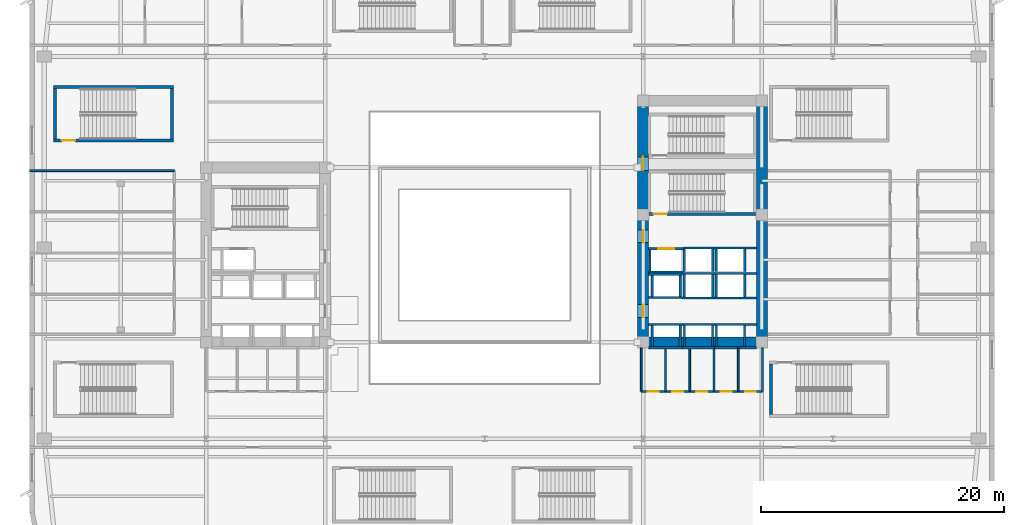
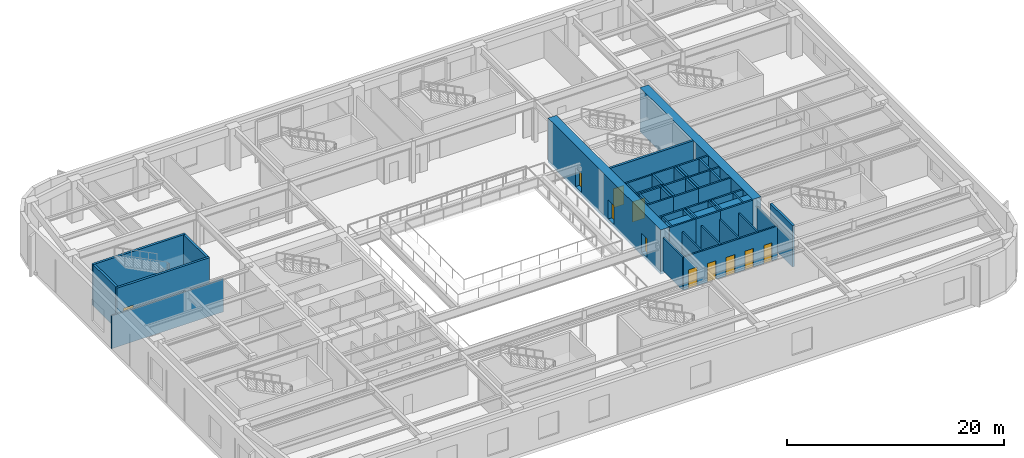
# One storey, part 7 of 21: 50 walls, 11 doors, 11 openings.
"""IFC4 building model written with IfcOpenShell, lengths in metres."""

from ifc_helpers import new_model, si_unit, direction, frame, frame_2d, origin, place, context, subcontext, project, spatial, rectangle, extrude, material, layer, layer_set, type_object, element, fill, save


model = new_model("IFC4")

# Units and contexts
model_context = context("Model", 3, precision=1e-05, world=origin(), true_north=direction((0.0, 1.0)))
body_context = subcontext(model_context, "Body", "Model", "MODEL_VIEW")
ifc_project = project(units=[si_unit("LENGTHUNIT", "METRE"), si_unit("AREAUNIT", "SQUARE_METRE"), si_unit("VOLUMEUNIT", "CUBIC_METRE"), si_unit("PLANEANGLEUNIT", "RADIAN"), si_unit("MASSUNIT", "GRAM", prefix="KILO")], contexts=[model_context])

# Site, building, storey
site_placement = place(None, origin())
site = spatial("IfcSite", under=ifc_project, at=site_placement, CompositionType="ELEMENT")
building_placement = place(site_placement, origin())
building = spatial("IfcBuilding", under=site, at=building_placement, Name="Kolvaren Arena Tower", CompositionType="ELEMENT")
storey_placement = place(building_placement, frame((0.0, 0.0, 18.0)))
storey = spatial("IfcBuildingStorey", under=building, at=storey_placement, Name="L03", CompositionType="ELEMENT", Elevation=18.0)

# Wall
ifc_material_1 = material(Name="Gypsum board acoustic assembly", Category="gypsum")
ifc_layer_1 = layer(ifc_material_1, 0.159912109375)
ifc_layer_set_1 = layer_set([ifc_layer_1], Name="Gypsum board acoustic assembly")
wall_type_1 = type_object("IfcWallType", Name="CORR-160", PredefinedType="PARTITIONING", material=ifc_layer_set_1)
wall_1_placement = place(storey_placement, frame((0.0, 33.60009765625, 0.0), z_axis=(0.0, 0.0, 1.0), x_axis=(1.0, 0.0, 0.0)))
element("IfcWall", 1, at=wall_1_placement, inside=storey, type_object=wall_type_1, Name="Interior Partition Wall (L03)", PredefinedType="PARTITIONING", context=body_context, shape_type="SweptSolid", body=[
    extrude(rectangle(XDim=11.919921875, YDim=0.159912109375, at=frame_2d((5.9599609375, 0.0))), origin(), (0.0, 0.0, 1.0), 3.7099609375),
])

# Wall, openings, doors
ifc_material_2 = material(Name="Concrete 80 MPa", Category="concrete")
ifc_layer_2 = layer(ifc_material_2, 0.89990234375)
ifc_layer_set_2 = layer_set([ifc_layer_2], Name="Concrete 80 MPa")
wall_type_2 = type_object("IfcWallType", Name="CWALL-900", PredefinedType="SHEAR", material=ifc_layer_set_2)
wall_2_placement = place(storey_placement, frame((50.550048828125, 19.0, -0.35009765625), z_axis=(0.0, 0.0, 1.0), x_axis=(0.0, 1.0, 0.0)))
wall_2 = element("IfcWall", 2, at=wall_2_placement, inside=storey, type_object=wall_type_2, Name="Core Shear Wall EC-WEST (L03)", PredefinedType="SHEAR", context=body_context, shape_type="SweptSolid", body=[
    extrude(rectangle(XDim=20.800048828125, YDim=0.89990234375, at=frame_2d((10.39990234375, 0.0))), origin(), (0.0, 0.0, 1.0), 5.0),
])
opening_1_placement = place(wall_2_placement, frame((2.5, 0.0, 0.35009765625)))
opening_1 = element("IfcOpeningElement", 3, at=opening_1_placement, cuts=wall_2, Name="Opening D04", PredefinedType="OPENING", context=body_context, shape_type="SweptSolid", body=[
    extrude(rectangle(XDim=1.050048828125, YDim=2.14990234375, at=frame_2d((0.52490234375, 1.074951171875))), frame((0.0, 0.4599609375, 0.0), z_axis=(0.0, -1.0, 0.0), x_axis=(1.0, 0.0, 0.0)), (0.0, 0.0, 1.0), 0.919921875),
])
opening_2_placement = place(wall_2_placement, frame((8.64990234375, 0.0, 0.35009765625)))
opening_2 = element("IfcOpeningElement", 4, at=opening_2_placement, cuts=wall_2, Name="Opening D04", PredefinedType="OPENING", context=body_context, shape_type="SweptSolid", body=[
    extrude(rectangle(XDim=1.050048828125, YDim=2.14990234375, at=frame_2d((0.52490234375, 1.074951171875))), frame((0.0, 0.4599609375, 0.0), z_axis=(0.0, -1.0, 0.0), x_axis=(1.0, 0.0, 0.0)), (0.0, 0.0, 1.0), 0.919921875),
])
opening_3_placement = place(wall_2_placement, frame((14.6201171875, 0.0, 0.35009765625)))
opening_3 = element("IfcOpeningElement", 5, at=opening_3_placement, cuts=wall_2, Name="Opening D03", PredefinedType="OPENING", context=body_context, shape_type="SweptSolid", body=[
    extrude(rectangle(XDim=1.10009765625, YDim=2.14990234375, at=frame_2d((0.550048828125, 1.074951171875))), frame((0.0, 0.4599609375, 0.0), z_axis=(0.0, -1.0, 0.0), x_axis=(1.0, 0.0, 0.0)), (0.0, 0.0, 1.0), 0.919921875),
])
ifc_material_3 = material(Name="Fire-rated steel lobby door", Category="steel")
door_type_1 = type_object("IfcDoorType", Name="DOOR-FF-105", OperationType="NOTDEFINED", PredefinedType="DOOR", material=ifc_material_3)
door_1_placement = place(opening_1_placement, origin())
door_1 = element("IfcDoor", 6, at=door_1_placement, inside=storey, type_object=door_type_1, Name="East Lift Lobby Fire Door (L03)", OperationType="SINGLE_SWING_RIGHT", OverallHeight=2.14990234375, OverallWidth=1.050048828125, PredefinedType="DOOR", context=body_context, shape_type="SweptSolid", body=[
    extrude(rectangle(XDim=1.050048828125, YDim=2.14990234375, at=frame_2d((0.52490234375, 1.074951171875))), frame((0.0, 0.02490234375, 0.0), z_axis=(0.0, -1.0, 0.0), x_axis=(1.0, 0.0, 0.0)), (0.0, 0.0, 1.0), 0.050048828125),
])
fill(opening_1, door_1)
door_2_placement = place(opening_2_placement, origin())
door_2 = element("IfcDoor", 7, at=door_2_placement, inside=storey, type_object=door_type_1, Name="East Firefighter Vestibule Door (L03)", OperationType="SINGLE_SWING_LEFT", OverallHeight=2.14990234375, OverallWidth=1.050048828125, PredefinedType="DOOR", context=body_context, shape_type="SweptSolid", body=[
    extrude(rectangle(XDim=1.050048828125, YDim=2.14990234375, at=frame_2d((0.52490234375, 1.074951171875))), frame((0.0, 0.02490234375, 0.0), z_axis=(0.0, -1.0, 0.0), x_axis=(1.0, 0.0, 0.0)), (0.0, 0.0, 1.0), 0.050048828125),
])
fill(opening_2, door_2)
ifc_material_4 = material(Name="Fire-rated steel exit stair door", Category="steel")
door_type_2 = type_object("IfcDoorType", Name="DOOR-ST-110", OperationType="NOTDEFINED", PredefinedType="DOOR", material=ifc_material_4)
door_3_placement = place(opening_3_placement, origin())
door_3 = element("IfcDoor", 8, at=door_3_placement, inside=storey, type_object=door_type_2, Name="Stair ST-E2 Vestibule Fire Door (L03)", OperationType="SINGLE_SWING_LEFT", OverallHeight=2.14990234375, OverallWidth=1.10009765625, PredefinedType="DOOR", context=body_context, shape_type="SweptSolid", body=[
    extrude(rectangle(XDim=1.10009765625, YDim=2.14990234375, at=frame_2d((0.550048828125, 1.074951171875))), frame((0.0, 0.02490234375, 0.0), z_axis=(0.0, -1.0, 0.0), x_axis=(1.0, 0.0, 0.0)), (0.0, 0.0, 1.0), 0.050048828125),
])
fill(opening_3, door_3)

# Walls
wall_3_placement = place(storey_placement, frame((60.35009765625, 19.0, -0.35009765625), z_axis=(0.0, 0.0, 1.0), x_axis=(0.0, 1.0, 0.0)))
element("IfcWall", 9, at=wall_3_placement, inside=storey, type_object=wall_type_2, Name="Core Shear Wall EC-EAST (L03)", PredefinedType="SHEAR", context=body_context, shape_type="SweptSolid", body=[
    extrude(rectangle(XDim=20.800048828125, YDim=0.89990234375, at=frame_2d((10.39990234375, 0.0))), origin(), (0.0, 0.0, 1.0), 5.0),
])
wall_4_placement = place(storey_placement, frame((51.0, 19.449951171875, -0.35009765625), z_axis=(0.0, 0.0, 1.0), x_axis=(1.0, 0.0, 0.0)))
element("IfcWall", 10, at=wall_4_placement, inside=storey, type_object=wall_type_2, Name="Core Shear Wall EC-SOUTH (L03)", PredefinedType="SHEAR", context=body_context, shape_type="SweptSolid", body=[
    extrude(rectangle(XDim=8.89990234375, YDim=0.89990234375, at=frame_2d((4.449951171875, 0.0))), origin(), (0.0, 0.0, 1.0), 5.0),
])
ifc_material_5 = material(Name="Concrete 45 MPa", Category="concrete")
ifc_layer_3 = layer(ifc_material_5, 0.25)
ifc_layer_set_3 = layer_set([ifc_layer_3], Name="Concrete 45 MPa")
wall_type_3 = type_object("IfcWallType", Name="SHAFT-250", PredefinedType="SOLIDWALL", material=ifc_layer_set_3)
wall_5_placement = place(storey_placement, frame((61.080078125, 13.5, 0.0), z_axis=(0.0, 0.0, 1.0), x_axis=(0.0, 1.0, 0.0)))
element("IfcWall", 11, at=wall_5_placement, inside=storey, type_object=wall_type_3, Name="Stair ST-A4 West Shaft Wall (L03)", PredefinedType="SOLIDWALL", context=body_context, shape_type="SweptSolid", body=[
    extrude(rectangle(XDim=4.14990234375, YDim=0.239990234375, at=frame_2d((2.074951171875, 0.0))), origin(), (0.0, 0.0, 1.0), 4.64990234375),
])

# Wall, opening, door
wall_6_placement = place(storey_placement, frame((11.840087890625, 36.080078125, 0.0), z_axis=(0.0, 0.0, 1.0), x_axis=(-1.0, 0.0, 0.0)))
wall_6 = element("IfcWall", 12, at=wall_6_placement, inside=storey, type_object=wall_type_3, Name="Stair ST-A5 Rated Enclosure Wall (L03)", PredefinedType="SOLIDWALL", context=body_context, shape_type="SweptSolid", body=[
    extrude(rectangle(XDim=9.880126953125, YDim=0.239990234375, at=frame_2d((4.93994140625, 0.0))), origin(), (0.0, 0.0, 1.0), 4.64990234375),
])
opening_4_placement = place(wall_6_placement, frame((8.090087890625, 0.0, 0.0)))
opening_4 = element("IfcOpeningElement", 13, at=opening_4_placement, cuts=wall_6, Name="Opening D03", PredefinedType="OPENING", context=body_context, shape_type="SweptSolid", body=[
    extrude(rectangle(XDim=1.10009765625, YDim=2.14990234375, at=frame_2d((0.550048828125, 1.074951171875))), frame((0.0, 0.1298828125, 0.0), z_axis=(0.0, -1.0, 0.0), x_axis=(1.0, 0.0, 0.0)), (0.0, 0.0, 1.0), 0.260009765625),
])
door_4_placement = place(opening_4_placement, origin())
door_4 = element("IfcDoor", 14, at=door_4_placement, inside=storey, type_object=door_type_2, Name="Exit Stair ST-A5 Fire Door (L03)", OperationType="SINGLE_SWING_RIGHT", OverallHeight=2.14990234375, OverallWidth=1.10009765625, PredefinedType="DOOR", context=body_context, shape_type="SweptSolid", body=[
    extrude(rectangle(XDim=1.10009765625, YDim=2.14990234375, at=frame_2d((0.550048828125, 1.074951171875))), frame((0.0, 0.02490234375, 0.0), z_axis=(0.0, -1.0, 0.0), x_axis=(1.0, 0.0, 0.0)), (0.0, 0.0, 1.0), 0.050048828125),
])
fill(opening_4, door_4)

# Walls
wall_7_placement = place(storey_placement, frame((1.9599609375, 40.469970703125, 0.0), z_axis=(0.0, 0.0, 1.0), x_axis=(1.0, 0.0, 0.0)))
element("IfcWall", 15, at=wall_7_placement, inside=storey, type_object=wall_type_3, Name="Stair ST-A5 Rear Shaft Wall (L03)", PredefinedType="SOLIDWALL", context=body_context, shape_type="SweptSolid", body=[
    extrude(rectangle(XDim=9.880126953125, YDim=0.239990234375, at=frame_2d((4.93994140625, 0.0))), origin(), (0.0, 0.0, 1.0), 4.64990234375),
])
for number, where, z_axis, x_axis, name in (
    (16, (2.080078125, 36.199951171875, 0.0), (0.0, 0.0, 1.0), (0.0, 1.0, 0.0), "Stair ST-A5 West Shaft Wall (L03)"),
    (17, (11.719970703125, 36.199951171875, 0.0), (0.0, 0.0, 1.0), (0.0, 1.0, 0.0), "Stair ST-A5 East Shaft Wall (L03)"),
):
    element("IfcWall", number, at=place(storey_placement, frame(where, z_axis=z_axis, x_axis=x_axis)), inside=storey, type_object=wall_type_3, Name=name, PredefinedType="SOLIDWALL", context=body_context, shape_type="SweptSolid", body=[
        extrude(rectangle(XDim=4.150146484375, YDim=0.239990234375, at=frame_2d((2.0751953125, 0.0))), origin(), (0.0, 0.0, 1.0), 4.64990234375),
    ])

# Wall, opening, door
wall_8_placement = place(storey_placement, frame((59.89990234375, 30.030029296875, 0.0), z_axis=(0.0, 0.0, 1.0), x_axis=(-1.0, 0.0, 0.0)))
wall_8 = element("IfcWall", 18, at=wall_8_placement, inside=storey, type_object=wall_type_3, Name="Core Shaft Wall (L03)", PredefinedType="SOLIDWALL", context=body_context, shape_type="SweptSolid", body=[
    extrude(rectangle(XDim=8.89990234375, YDim=0.239990234375, at=frame_2d((4.449951171875, 0.0))), origin(), (0.0, 0.0, 1.0), 4.64990234375),
])
opening_5_placement = place(wall_8_placement, frame((7.3798828125, 0.0, 0.0)))
opening_5 = element("IfcOpeningElement", 19, at=opening_5_placement, cuts=wall_8, Name="Opening D03", PredefinedType="OPENING", context=body_context, shape_type="SweptSolid", body=[
    extrude(rectangle(XDim=1.10009765625, YDim=2.14990234375, at=frame_2d((0.550048828125, 1.074951171875))), frame((0.0, 0.1298828125, 0.0), z_axis=(0.0, -1.0, 0.0), x_axis=(1.0, 0.0, 0.0)), (0.0, 0.0, 1.0), 0.260009765625),
])
door_5_placement = place(opening_5_placement, origin())
door_5 = element("IfcDoor", 20, at=door_5_placement, inside=storey, type_object=door_type_2, Name="Stair ST-E1 Fire Door (L03)", OperationType="SINGLE_SWING_LEFT", OverallHeight=2.14990234375, OverallWidth=1.10009765625, PredefinedType="DOOR", context=body_context, shape_type="SweptSolid", body=[
    extrude(rectangle(XDim=1.10009765625, YDim=2.14990234375, at=frame_2d((0.550048828125, 1.074951171875))), frame((0.0, 0.02490234375, 0.0), z_axis=(0.0, -1.0, 0.0), x_axis=(1.0, 0.0, 0.0)), (0.0, 0.0, 1.0), 0.050048828125),
])
fill(opening_5, door_5)

# Walls
for number, where, z_axis, x_axis, name in (
    (21, (51.0, 20.905029296875, 0.0), (0.0, 0.0, 1.0), (1.0, 0.0, 0.0), "Core Shaft Wall (L03)"),
    (22, (51.0, 18.9951171875, 0.0), (0.0, 0.0, 1.0), (1.0, 0.0, 0.0), "Core Shaft Wall (L03)"),
):
    element("IfcWall", number, at=place(storey_placement, frame(where, z_axis=z_axis, x_axis=x_axis)), inside=storey, type_object=wall_type_3, Name=name, PredefinedType="SOLIDWALL", context=body_context, shape_type="SweptSolid", body=[
        extrude(rectangle(XDim=2.7900390625, YDim=0.179931640625, at=frame_2d((1.39501953125, 0.0))), origin(), (0.0, 0.0, 1.0), 4.64990234375),
    ])
for number, where, z_axis, x_axis, name in (
    (23, (51.304931640625, 19.0849609375, 0.0), (0.0, 0.0, 1.0), (0.0, 1.0, 0.0), "Core Shaft Wall (L03)"),
    (24, (53.614990234375, 19.0849609375, 0.0), (0.0, 0.0, 1.0), (0.0, 1.0, 0.0), "Core Shaft Wall (L03)"),
):
    element("IfcWall", number, at=place(storey_placement, frame(where, z_axis=z_axis, x_axis=x_axis)), inside=storey, type_object=wall_type_3, Name=name, PredefinedType="SOLIDWALL", context=body_context, shape_type="SweptSolid", body=[
        extrude(rectangle(XDim=1.72998046875, YDim=0.179931640625, at=frame_2d((0.864990234375, 0.0))), origin(), (0.0, 0.0, 1.0), 4.64990234375),
    ])
for number, where, z_axis, x_axis, name in (
    (25, (53.7900390625, 20.905029296875, 0.0), (0.0, 0.0, 1.0), (1.0, 0.0, 0.0), "Core Shaft Wall (L03)"),
    (26, (53.7900390625, 18.9951171875, 0.0), (0.0, 0.0, 1.0), (1.0, 0.0, 0.0), "Core Shaft Wall (L03)"),
):
    element("IfcWall", number, at=place(storey_placement, frame(where, z_axis=z_axis, x_axis=x_axis)), inside=storey, type_object=wall_type_3, Name=name, PredefinedType="SOLIDWALL", context=body_context, shape_type="SweptSolid", body=[
        extrude(rectangle(XDim=2.64990234375, YDim=0.179931640625, at=frame_2d((1.324951171875, 0.0))), origin(), (0.0, 0.0, 1.0), 4.64990234375),
    ])
for number, where, z_axis, x_axis, name in (
    (27, (53.965087890625, 19.0849609375, 0.0), (0.0, 0.0, 1.0), (0.0, 1.0, 0.0), "Core Shaft Wall (L03)"),
    (28, (56.27490234375, 19.0849609375, 0.0), (0.0, 0.0, 1.0), (0.0, 1.0, 0.0), "Core Shaft Wall (L03)"),
):
    element("IfcWall", number, at=place(storey_placement, frame(where, z_axis=z_axis, x_axis=x_axis)), inside=storey, type_object=wall_type_3, Name=name, PredefinedType="SOLIDWALL", context=body_context, shape_type="SweptSolid", body=[
        extrude(rectangle(XDim=1.72998046875, YDim=0.179931640625, at=frame_2d((0.864990234375, 0.0))), origin(), (0.0, 0.0, 1.0), 4.64990234375),
    ])
for number, where, z_axis, x_axis, name in (
    (29, (56.43994140625, 20.905029296875, 0.0), (0.0, 0.0, 1.0), (1.0, 0.0, 0.0), "Core Shaft Wall (L03)"),
    (30, (56.43994140625, 18.9951171875, 0.0), (0.0, 0.0, 1.0), (1.0, 0.0, 0.0), "Core Shaft Wall (L03)"),
):
    element("IfcWall", number, at=place(storey_placement, frame(where, z_axis=z_axis, x_axis=x_axis)), inside=storey, type_object=wall_type_3, Name=name, PredefinedType="SOLIDWALL", context=body_context, shape_type="SweptSolid", body=[
        extrude(rectangle(XDim=3.4599609375, YDim=0.179931640625, at=frame_2d((1.72998046875, 0.0))), origin(), (0.0, 0.0, 1.0), 4.64990234375),
    ])
for number, where, z_axis, x_axis, name in (
    (31, (56.60498046875, 19.0849609375, 0.0), (0.0, 0.0, 1.0), (0.0, 1.0, 0.0), "Core Shaft Wall (L03)"),
    (32, (58.9150390625, 19.0849609375, 0.0), (0.0, 0.0, 1.0), (0.0, 1.0, 0.0), "Core Shaft Wall (L03)"),
):
    element("IfcWall", number, at=place(storey_placement, frame(where, z_axis=z_axis, x_axis=x_axis)), inside=storey, type_object=wall_type_3, Name=name, PredefinedType="SOLIDWALL", context=body_context, shape_type="SweptSolid", body=[
        extrude(rectangle(XDim=1.72998046875, YDim=0.179931640625, at=frame_2d((0.864990234375, 0.0))), origin(), (0.0, 0.0, 1.0), 4.64990234375),
    ])
for number, where, z_axis, x_axis, name in (
    (33, (51.0, 25.054931640625, 0.0), (0.0, 0.0, 1.0), (1.0, 0.0, 0.0), "Core Shaft Wall (L03)"),
    (34, (51.0, 23.14501953125, 0.0), (0.0, 0.0, 1.0), (1.0, 0.0, 0.0), "Core Shaft Wall (L03)"),
):
    element("IfcWall", number, at=place(storey_placement, frame(where, z_axis=z_axis, x_axis=x_axis)), inside=storey, type_object=wall_type_3, Name=name, PredefinedType="SOLIDWALL", context=body_context, shape_type="SweptSolid", body=[
        extrude(rectangle(XDim=2.777587890625, YDim=0.179931640625, at=frame_2d((1.388671875, 0.0))), origin(), (0.0, 0.0, 1.0), 4.64990234375),
    ])
for number, where, z_axis, x_axis, name in (
    (35, (51.304931640625, 23.235107421875, 0.0), (0.0, 0.0, 1.0), (0.0, 1.0, 0.0), "Core Shaft Wall (L03)"),
    (36, (53.614990234375, 23.235107421875, 0.0), (0.0, 0.0, 1.0), (0.0, 1.0, 0.0), "Core Shaft Wall (L03)"),
):
    element("IfcWall", number, at=place(storey_placement, frame(where, z_axis=z_axis, x_axis=x_axis)), inside=storey, type_object=wall_type_3, Name=name, PredefinedType="SOLIDWALL", context=body_context, shape_type="SweptSolid", body=[
        extrude(rectangle(XDim=1.72998046875, YDim=0.179931640625, at=frame_2d((0.864990234375, 0.0))), origin(), (0.0, 0.0, 1.0), 4.64990234375),
    ])
for number, where, z_axis, x_axis, name in (
    (37, (53.777587890625, 25.10498046875, 0.0), (0.0, 0.0, 1.0), (1.0, 0.0, 0.0), "Core Shaft Wall (L03)"),
    (38, (53.777587890625, 23.094970703125, 0.0), (0.0, 0.0, 1.0), (1.0, 0.0, 0.0), "Core Shaft Wall (L03)"),
):
    element("IfcWall", number, at=place(storey_placement, frame(where, z_axis=z_axis, x_axis=x_axis)), inside=storey, type_object=wall_type_3, Name=name, PredefinedType="SOLIDWALL", context=body_context, shape_type="SweptSolid", body=[
        extrude(rectangle(XDim=2.662353515625, YDim=0.179931640625, at=frame_2d((1.3310546875, 0.0))), origin(), (0.0, 0.0, 1.0), 4.64990234375),
    ])
for number, where, z_axis, x_axis, name in (
    (39, (53.93994140625, 23.18505859375, 0.0), (0.0, 0.0, 1.0), (0.0, 1.0, 0.0), "Core Shaft Wall (L03)"),
    (40, (56.300048828125, 23.18505859375, 0.0), (0.0, 0.0, 1.0), (0.0, 1.0, 0.0), "Core Shaft Wall (L03)"),
):
    element("IfcWall", number, at=place(storey_placement, frame(where, z_axis=z_axis, x_axis=x_axis)), inside=storey, type_object=wall_type_3, Name=name, PredefinedType="SOLIDWALL", context=body_context, shape_type="SweptSolid", body=[
        extrude(rectangle(XDim=1.829833984375, YDim=0.179931640625, at=frame_2d((0.9150390625, 0.0))), origin(), (0.0, 0.0, 1.0), 4.64990234375),
    ])
for number, where, z_axis, x_axis, name in (
    (41, (56.43994140625, 25.10498046875, 0.0), (0.0, 0.0, 1.0), (1.0, 0.0, 0.0), "Core Shaft Wall (L03)"),
    (42, (56.43994140625, 23.094970703125, 0.0), (0.0, 0.0, 1.0), (1.0, 0.0, 0.0), "Core Shaft Wall (L03)"),
):
    element("IfcWall", number, at=place(storey_placement, frame(where, z_axis=z_axis, x_axis=x_axis)), inside=storey, type_object=wall_type_3, Name=name, PredefinedType="SOLIDWALL", context=body_context, shape_type="SweptSolid", body=[
        extrude(rectangle(XDim=3.4599609375, YDim=0.179931640625, at=frame_2d((1.72998046875, 0.0))), origin(), (0.0, 0.0, 1.0), 4.64990234375),
    ])
for number, where, z_axis, x_axis, name in (
    (43, (56.580078125, 23.18505859375, 0.0), (0.0, 0.0, 1.0), (0.0, 1.0, 0.0), "Core Shaft Wall (L03)"),
    (44, (58.93994140625, 23.18505859375, 0.0), (0.0, 0.0, 1.0), (0.0, 1.0, 0.0), "Core Shaft Wall (L03)"),
):
    element("IfcWall", number, at=place(storey_placement, frame(where, z_axis=z_axis, x_axis=x_axis)), inside=storey, type_object=wall_type_3, Name=name, PredefinedType="SOLIDWALL", context=body_context, shape_type="SweptSolid", body=[
        extrude(rectangle(XDim=1.829833984375, YDim=0.179931640625, at=frame_2d((0.9150390625, 0.0))), origin(), (0.0, 0.0, 1.0), 4.64990234375),
    ])
wall_9_placement = place(storey_placement, frame((53.864990234375, 27.205078125, 0.0), z_axis=(0.0, 0.0, 1.0), x_axis=(1.0, 0.0, 0.0)))
element("IfcWall", 45, at=wall_9_placement, inside=storey, type_object=wall_type_3, Name="Core Shaft Wall (L03)", PredefinedType="SOLIDWALL", context=body_context, shape_type="SweptSolid", body=[
    extrude(rectangle(XDim=2.574951171875, YDim=0.179931640625, at=frame_2d((1.28759765625, 0.0))), origin(), (0.0, 0.0, 1.0), 4.64990234375),
])
for number, where, z_axis, x_axis, name in (
    (46, (53.93994140625, 25.284912109375, 0.0), (0.0, 0.0, 1.0), (0.0, 1.0, 0.0), "Core Shaft Wall (L03)"),
    (47, (56.300048828125, 25.284912109375, 0.0), (0.0, 0.0, 1.0), (0.0, 1.0, 0.0), "Core Shaft Wall (L03)"),
):
    element("IfcWall", number, at=place(storey_placement, frame(where, z_axis=z_axis, x_axis=x_axis)), inside=storey, type_object=wall_type_3, Name=name, PredefinedType="SOLIDWALL", context=body_context, shape_type="SweptSolid", body=[
        extrude(rectangle(XDim=1.830078125, YDim=0.179931640625, at=frame_2d((0.9150390625, 0.0))), origin(), (0.0, 0.0, 1.0), 4.64990234375),
    ])
wall_10_placement = place(storey_placement, frame((56.43994140625, 27.205078125, 0.0), z_axis=(0.0, 0.0, 1.0), x_axis=(1.0, 0.0, 0.0)))
element("IfcWall", 48, at=wall_10_placement, inside=storey, type_object=wall_type_3, Name="Core Shaft Wall (L03)", PredefinedType="SOLIDWALL", context=body_context, shape_type="SweptSolid", body=[
    extrude(rectangle(XDim=3.4599609375, YDim=0.179931640625, at=frame_2d((1.72998046875, 0.0))), origin(), (0.0, 0.0, 1.0), 4.64990234375),
])
for number, where, z_axis, x_axis, name in (
    (49, (56.580078125, 25.284912109375, 0.0), (0.0, 0.0, 1.0), (0.0, 1.0, 0.0), "Core Shaft Wall (L03)"),
    (50, (58.93994140625, 25.284912109375, 0.0), (0.0, 0.0, 1.0), (0.0, 1.0, 0.0), "Core Shaft Wall (L03)"),
):
    element("IfcWall", number, at=place(storey_placement, frame(where, z_axis=z_axis, x_axis=x_axis)), inside=storey, type_object=wall_type_3, Name=name, PredefinedType="SOLIDWALL", context=body_context, shape_type="SweptSolid", body=[
        extrude(rectangle(XDim=1.830078125, YDim=0.179931640625, at=frame_2d((0.9150390625, 0.0))), origin(), (0.0, 0.0, 1.0), 4.64990234375),
    ])

# Wall, opening, door
wall_11_placement = place(storey_placement, frame((51.0, 27.155029296875, 0.0), z_axis=(0.0, 0.0, 1.0), x_axis=(1.0, 0.0, 0.0)))
wall_11 = element("IfcWall", 51, at=wall_11_placement, inside=storey, type_object=wall_type_3, Name="Core Shaft Wall (L03)", PredefinedType="SOLIDWALL", context=body_context, shape_type="SweptSolid", body=[
    extrude(rectangle(XDim=2.864990234375, YDim=0.179931640625, at=frame_2d((1.4326171875, 0.0))), origin(), (0.0, 0.0, 1.0), 4.64990234375),
])
opening_6_placement = place(wall_11_placement, frame((0.784912109375, 0.0, 0.0)))
opening_6 = element("IfcOpeningElement", 52, at=opening_6_placement, cuts=wall_11, Name="Opening LD2", PredefinedType="OPENING", context=body_context, shape_type="SweptSolid", body=[
    extrude(rectangle(XDim=1.35009765625, YDim=2.300048828125, at=frame_2d((0.675048828125, 1.14990234375))), frame((0.0, 0.099853515625, 0.0), z_axis=(0.0, -1.0, 0.0), x_axis=(1.0, 0.0, 0.0)), (0.0, 0.0, 1.0), 0.199951171875),
])
ifc_material_6 = material(Name="Stainless steel firefighter lift landing door", Category="steel")
door_type_3 = type_object("IfcDoorType", Name="DOOR-LD-135", OperationType="DOUBLE_DOOR_SLIDING", PredefinedType="DOOR", material=ifc_material_6)
door_6_placement = place(opening_6_placement, origin())
door_6 = element("IfcDoor", 53, at=door_6_placement, inside=storey, type_object=door_type_3, Name="Firefighter Lift FF-E1 Landing Door (L03)", OperationType="DOUBLE_DOOR_SLIDING", OverallHeight=2.300048828125, OverallWidth=1.35009765625, PredefinedType="DOOR", context=body_context, shape_type="SweptSolid", body=[
    extrude(rectangle(XDim=1.35009765625, YDim=2.300048828125, at=frame_2d((0.675048828125, 1.14990234375))), frame((0.0, 0.02490234375, 0.0), z_axis=(0.0, -1.0, 0.0), x_axis=(1.0, 0.0, 0.0)), (0.0, 0.0, 1.0), 0.050048828125),
])
fill(opening_6, door_6)

# Walls
wall_12_placement = place(storey_placement, frame((51.0, 25.2451171875, 0.0), z_axis=(0.0, 0.0, 1.0), x_axis=(1.0, 0.0, 0.0)))
element("IfcWall", 54, at=wall_12_placement, inside=storey, type_object=wall_type_3, Name="Core Shaft Wall (L03)", PredefinedType="SOLIDWALL", context=body_context, shape_type="SweptSolid", body=[
    extrude(rectangle(XDim=2.864990234375, YDim=0.179931640625, at=frame_2d((1.4326171875, 0.0))), origin(), (0.0, 0.0, 1.0), 4.64990234375),
])
wall_13_placement = place(storey_placement, frame((51.1298828125, 25.3349609375, 0.0), z_axis=(0.0, 0.0, 1.0), x_axis=(0.0, 1.0, 0.0)))
element("IfcWall", 55, at=wall_13_placement, inside=storey, type_object=wall_type_3, Name="Core Shaft Wall (L03)", PredefinedType="SOLIDWALL", context=body_context, shape_type="SweptSolid", body=[
    extrude(rectangle(XDim=1.72998046875, YDim=0.179931640625, at=frame_2d((0.864990234375, 0.0))), origin(), (0.0, 0.0, 1.0), 4.64990234375),
])

# Wall, openings, doors
wall_14_placement = place(storey_placement, frame((50.39990234375, 15.39990234375, 0.0), z_axis=(0.0, 0.0, 1.0), x_axis=(1.0, 0.0, 0.0)))
wall_14 = element("IfcWall", 56, at=wall_14_placement, inside=storey, type_object=wall_type_3, Name="Interior Partition Wall (L03)", PredefinedType="SOLIDWALL", context=body_context, shape_type="SweptSolid", body=[
    extrude(rectangle(XDim=10.0, YDim=0.179931640625, at=frame_2d((5.0, 0.0))), origin(), (0.0, 0.0, 1.0), 3.7099609375),
])
opening_7_placement = place(wall_14_placement, frame((0.5400390625, 0.0, 0.0)))
opening_7 = element("IfcOpeningElement", 57, at=opening_7_placement, cuts=wall_14, Name="Opening D07", PredefinedType="OPENING", context=body_context, shape_type="SweptSolid", body=[
    extrude(rectangle(XDim=0.919921875, YDim=2.10009765625, at=frame_2d((0.4599609375, 1.050048828125))), frame((0.0, 0.099853515625, 0.0), z_axis=(0.0, -1.0, 0.0), x_axis=(1.0, 0.0, 0.0)), (0.0, 0.0, 1.0), 0.199951171875),
])
opening_8_placement = place(wall_14_placement, frame((2.5400390625, 0.0, 0.0)))
opening_8 = element("IfcOpeningElement", 58, at=opening_8_placement, cuts=wall_14, Name="Opening D07", PredefinedType="OPENING", context=body_context, shape_type="SweptSolid", body=[
    extrude(rectangle(XDim=0.919921875, YDim=2.10009765625, at=frame_2d((0.4599609375, 1.050048828125))), frame((0.0, 0.099853515625, 0.0), z_axis=(0.0, -1.0, 0.0), x_axis=(1.0, 0.0, 0.0)), (0.0, 0.0, 1.0), 0.199951171875),
])
opening_9_placement = place(wall_14_placement, frame((4.5400390625, 0.0, 0.0)))
opening_9 = element("IfcOpeningElement", 59, at=opening_9_placement, cuts=wall_14, Name="Opening D07", PredefinedType="OPENING", context=body_context, shape_type="SweptSolid", body=[
    extrude(rectangle(XDim=0.919921875, YDim=2.10009765625, at=frame_2d((0.4599609375, 1.050048828125))), frame((0.0, 0.099853515625, 0.0), z_axis=(0.0, -1.0, 0.0), x_axis=(1.0, 0.0, 0.0)), (0.0, 0.0, 1.0), 0.199951171875),
])
opening_10_placement = place(wall_14_placement, frame((6.5400390625, 0.0, 0.0)))
opening_10 = element("IfcOpeningElement", 60, at=opening_10_placement, cuts=wall_14, Name="Opening D07", PredefinedType="OPENING", context=body_context, shape_type="SweptSolid", body=[
    extrude(rectangle(XDim=0.919921875, YDim=2.10009765625, at=frame_2d((0.4599609375, 1.050048828125))), frame((0.0, 0.099853515625, 0.0), z_axis=(0.0, -1.0, 0.0), x_axis=(1.0, 0.0, 0.0)), (0.0, 0.0, 1.0), 0.199951171875),
])
opening_11_placement = place(wall_14_placement, frame((8.570068359375, 0.0, 0.0)))
opening_11 = element("IfcOpeningElement", 61, at=opening_11_placement, cuts=wall_14, Name="Opening D09", PredefinedType="OPENING", context=body_context, shape_type="SweptSolid", body=[
    extrude(rectangle(XDim=0.860107421875, YDim=2.050048828125, at=frame_2d((0.43017578125, 1.02490234375))), frame((0.0, 0.099853515625, 0.0), z_axis=(0.0, -1.0, 0.0), x_axis=(1.0, 0.0, 0.0)), (0.0, 0.0, 1.0), 0.199951171875),
])
ifc_material_7 = material(Name="Fire-rated steel riser access door", Category="steel")
door_type_4 = type_object("IfcDoorType", Name="DOOR-RS-086", OperationType="NOTDEFINED", PredefinedType="DOOR", material=ifc_material_7)
door_7_placement = place(opening_11_placement, origin())
door_7 = element("IfcDoor", 62, at=door_7_placement, inside=storey, type_object=door_type_4, Name="Telecom Riser Closet Door (L03)", OperationType="SINGLE_SWING_LEFT", OverallHeight=2.050048828125, OverallWidth=0.860107421875, PredefinedType="DOOR", context=body_context, shape_type="SweptSolid", body=[
    extrude(rectangle(XDim=0.860107421875, YDim=2.050048828125, at=frame_2d((0.43017578125, 1.02490234375))), frame((0.0, 0.02490234375, 0.0), z_axis=(0.0, -1.0, 0.0), x_axis=(1.0, 0.0, 0.0)), (0.0, 0.0, 1.0), 0.050048828125),
])
fill(opening_11, door_7)
ifc_material_8 = material(Name="Laminate universal washroom door", Category="wood")
door_type_5 = type_object("IfcDoorType", Name="DOOR-WC-092", OperationType="NOTDEFINED", PredefinedType="DOOR", material=ifc_material_8)
door_8_placement = place(opening_7_placement, origin())
door_8 = element("IfcDoor", 63, at=door_8_placement, inside=storey, type_object=door_type_5, Name="First Aid Store Door (L03)", OperationType="SINGLE_SWING_LEFT", OverallHeight=2.10009765625, OverallWidth=0.919921875, PredefinedType="DOOR", context=body_context, shape_type="SweptSolid", body=[
    extrude(rectangle(XDim=0.919921875, YDim=2.10009765625, at=frame_2d((0.4599609375, 1.050048828125))), frame((0.0, 0.02490234375, 0.0), z_axis=(0.0, -1.0, 0.0), x_axis=(1.0, 0.0, 0.0)), (0.0, 0.0, 1.0), 0.050048828125),
])
fill(opening_7, door_8)
door_9_placement = place(opening_8_placement, origin())
door_9 = element("IfcDoor", 64, at=door_9_placement, inside=storey, type_object=door_type_5, Name="Cleaner and Janitor Store Door (L03)", OperationType="SINGLE_SWING_RIGHT", OverallHeight=2.10009765625, OverallWidth=0.919921875, PredefinedType="DOOR", context=body_context, shape_type="SweptSolid", body=[
    extrude(rectangle(XDim=0.919921875, YDim=2.10009765625, at=frame_2d((0.4599609375, 1.050048828125))), frame((0.0, 0.02490234375, 0.0), z_axis=(0.0, -1.0, 0.0), x_axis=(1.0, 0.0, 0.0)), (0.0, 0.0, 1.0), 0.050048828125),
])
fill(opening_8, door_9)
door_10_placement = place(opening_9_placement, origin())
door_10 = element("IfcDoor", 65, at=door_10_placement, inside=storey, type_object=door_type_5, Name="Staff Pantry Door (L03)", OperationType="SINGLE_SWING_LEFT", OverallHeight=2.10009765625, OverallWidth=0.919921875, PredefinedType="DOOR", context=body_context, shape_type="SweptSolid", body=[
    extrude(rectangle(XDim=0.919921875, YDim=2.10009765625, at=frame_2d((0.4599609375, 1.050048828125))), frame((0.0, 0.02490234375, 0.0), z_axis=(0.0, -1.0, 0.0), x_axis=(1.0, 0.0, 0.0)), (0.0, 0.0, 1.0), 0.050048828125),
])
fill(opening_9, door_10)
door_11_placement = place(opening_10_placement, origin())
door_11 = element("IfcDoor", 66, at=door_11_placement, inside=storey, type_object=door_type_5, Name="Gender-Neutral Washroom Door (L03)", OperationType="SINGLE_SWING_RIGHT", OverallHeight=2.10009765625, OverallWidth=0.919921875, PredefinedType="DOOR", context=body_context, shape_type="SweptSolid", body=[
    extrude(rectangle(XDim=0.919921875, YDim=2.10009765625, at=frame_2d((0.4599609375, 1.050048828125))), frame((0.0, 0.02490234375, 0.0), z_axis=(0.0, -1.0, 0.0), x_axis=(1.0, 0.0, 0.0)), (0.0, 0.0, 1.0), 0.050048828125),
])
fill(opening_10, door_11)

# Walls
ifc_material_9 = material(Name="Moisture-resistant gypsum assembly", Category="gypsum")
ifc_layer_4 = layer(ifc_material_9, 0.14990234375)
ifc_layer_set_4 = layer_set([ifc_layer_4], Name="Moisture-resistant gypsum assembly")
wall_type_4 = type_object("IfcWallType", Name="WETW-150", PredefinedType="PARTITIONING", material=ifc_layer_set_4)
for number, where, z_axis, x_axis, name in (
    (67, (52.39990234375, 15.39990234375, 0.0), (0.0, 0.0, 1.0), (0.0, 1.0, 0.0), "Interior Partition Wall (L03)"),
    (68, (54.39990234375, 15.39990234375, 0.0), (0.0, 0.0, 1.0), (0.0, 1.0, 0.0), "Interior Partition Wall (L03)"),
    (69, (56.39990234375, 15.39990234375, 0.0), (0.0, 0.0, 1.0), (0.0, 1.0, 0.0), "Interior Partition Wall (L03)"),
    (70, (58.39990234375, 15.39990234375, 0.0), (0.0, 0.0, 1.0), (0.0, 1.0, 0.0), "Interior Partition Wall (L03)"),
    (71, (50.39990234375, 15.39990234375, 0.0), (0.0, 0.0, 1.0), (0.0, 1.0, 0.0), "Interior Partition Wall (L03)"),
    (72, (60.39990234375, 15.39990234375, 0.0), (0.0, 0.0, 1.0), (0.0, 1.0, 0.0), "Interior Partition Wall (L03)"),
):
    element("IfcWall", number, at=place(storey_placement, frame(where, z_axis=z_axis, x_axis=x_axis)), inside=storey, type_object=wall_type_4, Name=name, PredefinedType="PARTITIONING", context=body_context, shape_type="SweptSolid", body=[
        extrude(rectangle(XDim=3.580078125, YDim=0.14990234375, at=frame_2d((1.7900390625, 0.0))), origin(), (0.0, 0.0, 1.0), 3.7099609375),
    ])

save(model, "model.ifc")
